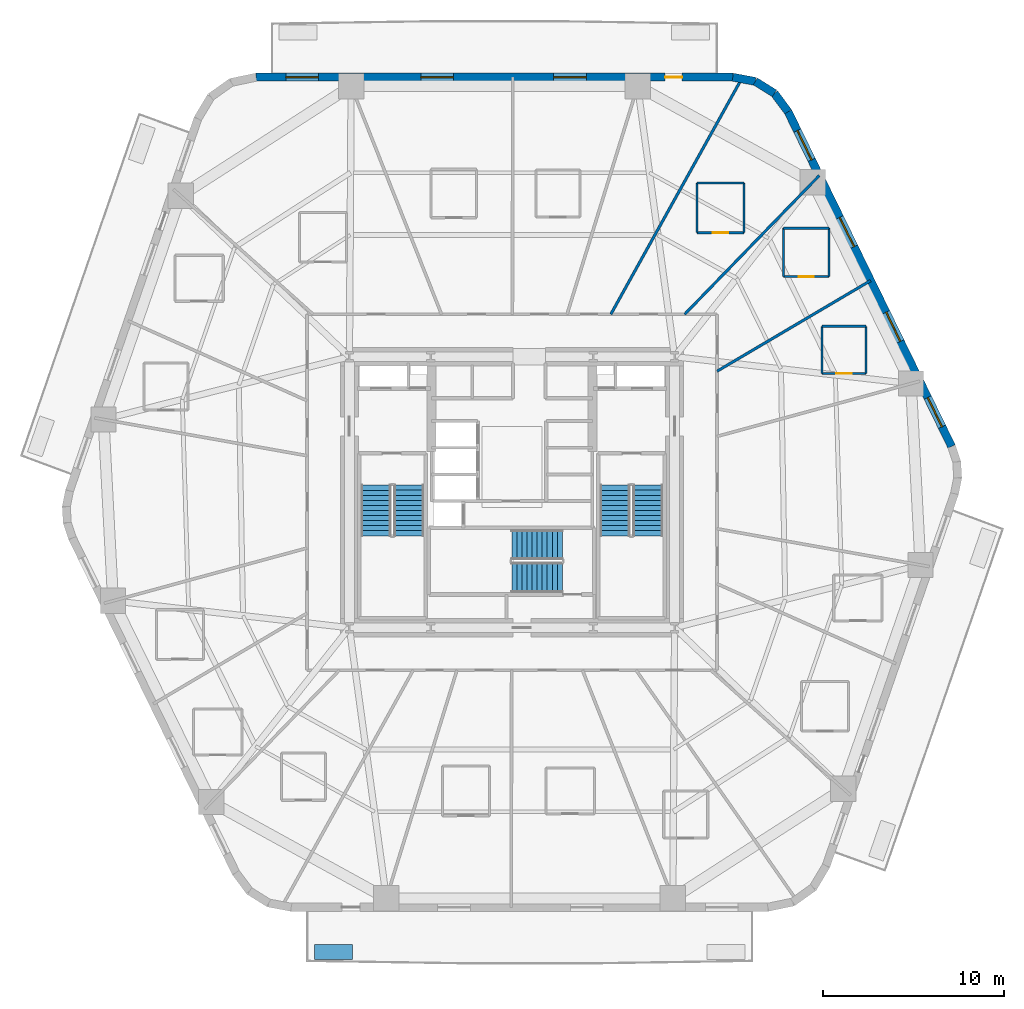
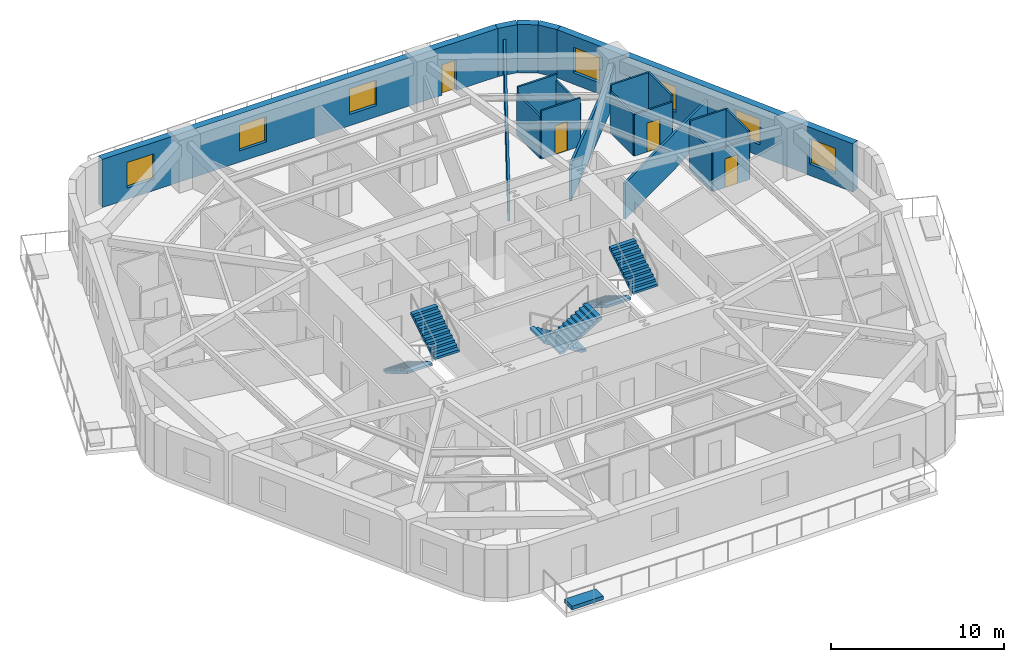
# One storey, part 7 of 11: 20 walls, 7 windows, 6 stair flights, 4 doors, 1 discrete accessory, 11 openings, 3 elements without a shape of their own.
"""IFC4 building model written with IfcOpenShell, lengths in metres."""

import ifcopenshell
import ifcopenshell.guid

model = None  # the IFC model being written
_history = None  # IfcOwnerHistory: only IFC2X3 demands one
_inside = {}  # id of a spatial element -> (the spatial element, [elements in it])
_under = {}  # id of a project, library or spatial element -> (it, [spatial elements below it])
_declared = {}  # id of a project -> (the project, [libraries it declares])
_typed = {}  # id of a type object -> (the type object, [elements of that type])
_made_of = {}  # id of a material, layer set ... -> (it, [elements and type objects made of it])


def new_model(schema):
    """Start an empty IFC model of exactly this schema.

    Asked for "IFC4X3", IfcOpenShell would pick the latest addendum, in which some entities
    have other attributes; the version numbers below select the first issue.
    IFC2X3 requires an IfcOwnerHistory on every rooted entity: one is made here for all.
    """
    global model, _history
    if schema == "IFC4X3":
        model = ifcopenshell.file(schema_version=(4, 3, 0, 0))
    else:
        model = ifcopenshell.file(schema=schema)
    _inside.clear()
    _under.clear()
    _declared.clear()
    _typed.clear()
    _made_of.clear()
    _history = None
    if model.schema == "IFC2X3":
        org = make("IfcOrganization", Name="unknown")
        user = make(
            "IfcPersonAndOrganization",
            ThePerson=make("IfcPerson", FamilyName="unknown"),
            TheOrganization=org,
        )
        app = make(
            "IfcApplication",
            ApplicationDeveloper=org,
            Version="unknown",
            ApplicationFullName="unknown",
            ApplicationIdentifier="unknown",
        )
        _history = make(
            "IfcOwnerHistory",
            OwningUser=user,
            OwningApplication=app,
            ChangeAction="ADDED",
            CreationDate=0,
        )
    return model


def make(cls, **values):
    """One entity of the class cls with the attributes given. An attribute that is None is left unset."""
    return model.create_entity(
        cls, **{name: value for name, value in values.items() if value is not None}
    )


def rooted(cls, **values):
    """An entity with a GlobalId (a new one), such as an element, a storey or a relation."""
    return make(cls, GlobalId=ifcopenshell.guid.new(), OwnerHistory=_history, **values)


def si_unit(unit_type, name, prefix=None):
    """IfcSIUnit, for example si_unit("LENGTHUNIT", "METRE", prefix="MILLI")."""
    return make("IfcSIUnit", UnitType=unit_type, Prefix=prefix, Name=name)


def assignment(units):
    """IfcUnitAssignment: the units of a project."""
    return None if units is None else make("IfcUnitAssignment", Units=units)


def point(xyz):
    """IfcCartesianPoint."""
    return None if xyz is None else make("IfcCartesianPoint", Coordinates=xyz)


def direction(xyz):
    """IfcDirection."""
    return None if xyz is None else make("IfcDirection", DirectionRatios=xyz)


def frame(location, z_axis=None, x_axis=None):
    """IfcAxis2Placement3D, a coordinate frame: its origin and axes. An axis left out is left unset."""
    return make(
        "IfcAxis2Placement3D",
        Location=point(location),
        Axis=direction(z_axis),
        RefDirection=direction(x_axis),
    )


def frame_2d(location, x_axis=None):
    """IfcAxis2Placement2D, a coordinate frame in the plane: its origin and x axis."""
    return make(
        "IfcAxis2Placement2D", Location=point(location), RefDirection=direction(x_axis)
    )


def origin():
    """The frame at (0, 0, 0) with its axes left unset."""
    return frame((0.0, 0.0, 0.0))


def origin_2d():
    """The frame at (0, 0) in the plane with its x axis left unset."""
    return frame_2d((0.0, 0.0))


def place(relative_to, where):
    """IfcLocalPlacement: puts the frame where relative to a parent placement (None: the world)."""
    return make(
        "IfcLocalPlacement", PlacementRelTo=relative_to, RelativePlacement=where
    )


def context(
    kind, dimensions, precision=None, world=None, true_north=None, identifier=None
):
    """IfcGeometricRepresentationContext, for example the 3D "Model" context."""
    return make(
        "IfcGeometricRepresentationContext",
        ContextIdentifier=identifier,
        ContextType=kind,
        CoordinateSpaceDimension=dimensions,
        Precision=precision,
        WorldCoordinateSystem=world,
        TrueNorth=true_north,
    )


def subcontext(parent, identifier, kind, view, scale=None):
    """IfcGeometricRepresentationSubContext, for example "Body" below "Model"."""
    return make(
        "IfcGeometricRepresentationSubContext",
        ContextIdentifier=identifier,
        ContextType=kind,
        ParentContext=parent,
        TargetScale=scale,
        TargetView=view,
    )


def project(units=None, contexts=None):
    """IfcProject with its units and contexts."""
    return rooted(
        "IfcProject",
        Name="project",
        RepresentationContexts=contexts,
        UnitsInContext=assignment(units),
    )


def spatial(cls, under=None, at=None, **own):
    """A site, building, storey or space (cls), placed at a placement, below another one or the project."""
    s = rooted(cls, ObjectPlacement=at, **own)
    if under is not None:
        _under.setdefault(under.id(), (under, []))[1].append(s)
    return s


def polyline(points):
    """IfcPolyline through the points."""
    return make("IfcPolyline", Points=[point(p) for p in points])


def profile(cls, at=None, kind="AREA", **sizes):
    """A parametric profile (cls). Its sizes go by their IFC names, for example OverallWidth=200.0."""
    return make(cls, ProfileType=kind, Position=at, **sizes)


def rectangle(**sizes):
    """IfcRectangleProfileDef."""
    return profile("IfcRectangleProfileDef", **sizes)


def outline(outer, holes=None, kind="AREA"):
    """IfcArbitraryClosedProfileDef: a profile drawn as a closed curve; with holes, ...WithVoids."""
    if holes is None:
        return make("IfcArbitraryClosedProfileDef", ProfileType=kind, OuterCurve=outer)
    return make(
        "IfcArbitraryProfileDefWithVoids",
        ProfileType=kind,
        OuterCurve=outer,
        InnerCurves=holes,
    )


def extrude(swept, where, along, depth):
    """IfcExtrudedAreaSolid: the profile swept, set in the frame where, extruded along a direction by depth."""
    return make(
        "IfcExtrudedAreaSolid",
        SweptArea=swept,
        Position=where,
        ExtrudedDirection=direction(along),
        Depth=depth,
    )


def shape(context_of_items, identifier, shape_type, items):
    """IfcShapeRepresentation: the items that make up one representation, for example the "Body"."""
    return make(
        "IfcShapeRepresentation",
        ContextOfItems=context_of_items,
        RepresentationIdentifier=identifier,
        RepresentationType=shape_type,
        Items=items,
    )


def material(Name=None, Category=None):
    """IfcMaterial."""
    return make("IfcMaterial", Name=Name, Category=Category)


def layer(
    of_material, thickness, ventilated=None, Name=None, Category=None, Priority=None
):
    """IfcMaterialLayer: one layer of a wall or slab, of a material (None: an air gap)."""
    return make(
        "IfcMaterialLayer",
        Material=of_material,
        LayerThickness=thickness,
        IsVentilated=ventilated,
        Name=Name,
        Category=Category,
        Priority=Priority,
    )


def layer_set(layers, Name=None):
    """IfcMaterialLayerSet."""
    return make("IfcMaterialLayerSet", MaterialLayers=layers, LayerSetName=Name)


def made_of(thing, what):
    """Note that an element or type object is made of a material, layer set ...; save() writes the relation."""
    if what is not None:
        _made_of.setdefault(what.id(), (what, []))[1].append(thing)
    return thing


def type_object(cls, material=None, **own):
    """A type object (cls), such as IfcWallType, which elements share."""
    return made_of(rooted(cls, **own), material)


def element(
    cls,
    number,
    at=None,
    inside=None,
    cuts=None,
    type_object=None,
    material=None,
    context=None,
    identifier="Body",
    shape_type=None,
    held_by="IfcProductDefinitionShape",
    body=None,
    shapes=None,
    **own,
):
    """One element of the class cls, such as IfcWall. Its Tag is "e" and its number.

    at: its placement. inside: the storey or other place that contains it. cuts: it is an
    opening in that element (IfcRelVoidsElement). A single representation is given by context,
    identifier, shape_type and body (its items); several are given by shapes. held_by: the class
    of the entity that holds the representations. save() writes the other relations.
    """
    e = rooted(cls, Tag="e%d" % number, ObjectPlacement=at, **own)
    if body is not None:
        shapes = [shape(context, identifier, shape_type, body)]
    if shapes is not None:
        e.Representation = make(held_by, Representations=shapes)
    if inside is not None:
        _inside.setdefault(inside.id(), (inside, []))[1].append(e)
    if cuts is not None:
        rooted(
            "IfcRelVoidsElement", RelatingBuildingElement=cuts, RelatedOpeningElement=e
        )
    if type_object is not None:
        _typed.setdefault(type_object.id(), (type_object, []))[1].append(e)
    return made_of(e, material)


def fill(opening, filler):
    """IfcRelFillsElement: the door or window that sits in an opening."""
    return rooted(
        "IfcRelFillsElement",
        RelatingOpeningElement=opening,
        RelatedBuildingElement=filler,
    )


def aggregate(whole, parts):
    """IfcRelAggregates: a whole, such as a stair, and the parts it consists of."""
    return rooted("IfcRelAggregates", RelatingObject=whole, RelatedObjects=parts)


def save(model, path):
    """Write the relations noted so far, then the file.

    IfcRelAggregates (storeys below a building ...), IfcRelContainedInSpatialStructure (elements
    in a storey), IfcRelDefinesByType, IfcRelAssociatesMaterial and IfcRelDeclares: one each for
    every whole, place, type object, material and project.
    """
    for whole, parts in _under.values():
        aggregate(whole, parts)
    for where, things in _inside.values():
        rooted(
            "IfcRelContainedInSpatialStructure",
            RelatedElements=things,
            RelatingStructure=where,
        )
    for kind, things in _typed.values():
        rooted("IfcRelDefinesByType", RelatedObjects=things, RelatingType=kind)
    for what, things in _made_of.values():
        rooted("IfcRelAssociatesMaterial", RelatedObjects=things, RelatingMaterial=what)
    for by, libraries in _declared.values():
        rooted("IfcRelDeclares", RelatingContext=by, RelatedDefinitions=libraries)
    model.write(path)


model = new_model("IFC4")

# Units and contexts
model_context = context("Model", 3, precision=1e-05, world=origin(), true_north=direction((0.0, 1.0)))
body_context = subcontext(model_context, "Body", "Model", "MODEL_VIEW")
ifc_project = project(units=[si_unit("LENGTHUNIT", "METRE"), si_unit("AREAUNIT", "SQUARE_METRE"), si_unit("VOLUMEUNIT", "CUBIC_METRE"), si_unit("PLANEANGLEUNIT", "RADIAN"), si_unit("MASSUNIT", "GRAM", prefix="KILO")], contexts=[model_context])

# Site, building, storey
site_placement = place(None, origin())
site = spatial("IfcSite", under=ifc_project, at=site_placement, CompositionType="ELEMENT")
building_placement = place(site_placement, origin())
building = spatial("IfcBuilding", under=site, at=building_placement, Name="Kilnhurst Terrace Hotel", CompositionType="ELEMENT")
storey_placement = place(building_placement, frame((0.0, 0.0, 41.60009765625)))
storey = spatial("IfcBuildingStorey", under=building, at=storey_placement, Name="L08", CompositionType="ELEMENT", Elevation=41.60009765625)

# Walls
ifc_material_1 = material(Name="Precast concrete C40/50", Category="concrete")
ifc_layer_1 = layer(ifc_material_1, 0.449951171875, Name="Precast concrete C40/50")
ifc_layer_set_1 = layer_set([ifc_layer_1], Name="Precast concrete C40/50")
wall_type_1 = type_object("IfcWallType", Name="WL-BRK-450", PredefinedType="SOLIDWALL", material=ifc_layer_set_1)
wall_1_placement = place(storey_placement, frame((15.28369140625, 21.0625, 0.0), z_axis=(0.0, 0.0, 1.0), x_axis=(-0.597595366449, 0.801797841104, 0.0)))
element("IfcWall", 1, at=wall_1_placement, inside=storey, type_object=wall_type_1, Name="L08 Rounded Corner Brick Wall C4.1", PredefinedType="SOLIDWALL", context=body_context, shape_type="SweptSolid", body=[
    extrude(rectangle(XDim=1.2685546875, YDim=0.449951171875, at=frame_2d((0.63427734375, 0.0))), origin(), (0.0, 0.0, 1.0), 3.39990234375),
])
wall_2_placement = place(storey_placement, frame((14.525634765625, 22.07958984375, 0.0), z_axis=(0.0, 0.0, 1.0), x_axis=(-0.848185203596, 0.529699783275, 0.0)))
element("IfcWall", 2, at=wall_2_placement, inside=storey, type_object=wall_type_1, Name="L08 Rounded Corner Brick Wall C4.2", PredefinedType="SOLIDWALL", context=body_context, shape_type="SweptSolid", body=[
    extrude(rectangle(XDim=1.247314453125, YDim=0.449951171875, at=frame_2d((0.62353515625, 0.0))), origin(), (0.0, 0.0, 1.0), 3.39990234375),
])
wall_3_placement = place(storey_placement, frame((13.4677734375, 22.740234375, 0.0), z_axis=(0.0, 0.0, 1.0), x_axis=(-0.982717174228, 0.185113358451, 0.0)))
element("IfcWall", 3, at=wall_3_placement, inside=storey, type_object=wall_type_1, Name="L08 Rounded Corner Brick Wall C4.3", PredefinedType="SOLIDWALL", context=body_context, shape_type="SweptSolid", body=[
    extrude(rectangle(XDim=1.268798828125, YDim=0.449951171875, at=frame_2d((0.63427734375, 0.0))), origin(), (0.0, 0.0, 1.0), 3.39990234375),
])

# Wall, openings, windows
wall_4_placement = place(storey_placement, frame((24.335693359375, 2.532470703125, 0.0), z_axis=(0.0, 0.0, 1.0), x_axis=(-0.438931326393, 0.898520612291, 0.0)))
wall_4 = element("IfcWall", 4, at=wall_4_placement, inside=storey, type_object=wall_type_1, Name="L08 Exterior Brick Facade Wall F3", PredefinedType="SOLIDWALL", context=body_context, shape_type="SweptSolid", body=[
    extrude(rectangle(XDim=20.622802734375, YDim=0.449951171875, at=frame_2d((10.3115234375, 0.0))), origin(), (0.0, 0.0, 1.0), 3.39990234375),
])
opening_1_placement = place(wall_4_placement, frame((6.469970703125, 0.0, 0.800048828125)))
opening_1 = element("IfcOpeningElement", 5, at=opening_1_placement, cuts=wall_4, Name="Opening W-01", PredefinedType="OPENING", context=body_context, shape_type="SweptSolid", body=[
    extrude(rectangle(XDim=1.800048828125, YDim=1.800048828125, at=frame_2d((0.89990234375, 0.89990234375))), frame((0.0, 0.23486328125, 0.0), z_axis=(0.0, -1.0, 0.0), x_axis=(1.0, 0.0, 0.0)), (0.0, 0.0, 1.0), 0.469970703125),
])
opening_2_placement = place(wall_4_placement, frame((12.31103515625, 0.0, 0.800048828125)))
opening_2 = element("IfcOpeningElement", 6, at=opening_2_placement, cuts=wall_4, Name="Opening W-01", PredefinedType="OPENING", context=body_context, shape_type="SweptSolid", body=[
    extrude(rectangle(XDim=1.800048828125, YDim=1.800048828125, at=frame_2d((0.89990234375, 0.89990234375))), frame((0.0, 0.23486328125, 0.0), z_axis=(0.0, -1.0, 0.0), x_axis=(1.0, 0.0, 0.0)), (0.0, 0.0, 1.0), 0.469970703125),
])
opening_3_placement = place(wall_4_placement, frame((17.659912109375, 0.0, 0.800048828125)))
opening_3 = element("IfcOpeningElement", 7, at=opening_3_placement, cuts=wall_4, Name="Opening W-01", PredefinedType="OPENING", context=body_context, shape_type="SweptSolid", body=[
    extrude(rectangle(XDim=1.800048828125, YDim=1.800048828125, at=frame_2d((0.89990234375, 0.89990234375))), frame((0.0, 0.23486328125, 0.0), z_axis=(0.0, -1.0, 0.0), x_axis=(1.0, 0.0, 0.0)), (0.0, 0.0, 1.0), 0.469970703125),
])
opening_4_placement = place(wall_4_placement, frame((1.214111328125, 0.0, 0.800048828125)))
opening_4 = element("IfcOpeningElement", 8, at=opening_4_placement, cuts=wall_4, Name="Opening W-01", PredefinedType="OPENING", context=body_context, shape_type="SweptSolid", body=[
    extrude(rectangle(XDim=1.800048828125, YDim=1.800048828125, at=frame_2d((0.89990234375, 0.89990234375))), frame((0.0, 0.23486328125, 0.0), z_axis=(0.0, -1.0, 0.0), x_axis=(1.0, 0.0, 0.0)), (0.0, 0.0, 1.0), 0.469970703125),
])
ifc_material_2 = material(Name="Thermally Broken Bronze Aluminium Alloy 6063-T6 and Low-E Glass", Category="aluminium")
window_type = type_object("IfcWindowType", Name="WIN-1800X1800", PartitioningType="SINGLE_PANEL", PredefinedType="WINDOW", material=ifc_material_2)
window_1_placement = place(opening_1_placement, origin())
window_1 = element("IfcWindow", 9, at=window_1_placement, inside=storey, type_object=window_type, Name="L08 Deep-Set Masonry Window F3.1", OverallHeight=1.800048828125, OverallWidth=1.800048828125, PartitioningType="SINGLE_PANEL", PredefinedType="WINDOW", context=body_context, shape_type="SweptSolid", body=[
    extrude(rectangle(XDim=1.800048828125, YDim=1.800048828125, at=frame_2d((0.89990234375, 0.89990234375))), frame((0.0, 0.030029296875, 0.0), z_axis=(0.0, -1.0, 0.0), x_axis=(1.0, 0.0, 0.0)), (0.0, 0.0, 1.0), 0.06005859375),
])
fill(opening_1, window_1)
window_2_placement = place(opening_2_placement, origin())
window_2 = element("IfcWindow", 10, at=window_2_placement, inside=storey, type_object=window_type, Name="L08 Deep-Set Masonry Window F3.2", OverallHeight=1.800048828125, OverallWidth=1.800048828125, PartitioningType="SINGLE_PANEL", PredefinedType="WINDOW", context=body_context, shape_type="SweptSolid", body=[
    extrude(rectangle(XDim=1.800048828125, YDim=1.800048828125, at=frame_2d((0.89990234375, 0.89990234375))), frame((0.0, 0.030029296875, 0.0), z_axis=(0.0, -1.0, 0.0), x_axis=(1.0, 0.0, 0.0)), (0.0, 0.0, 1.0), 0.06005859375),
])
fill(opening_2, window_2)
window_3_placement = place(opening_3_placement, origin())
window_3 = element("IfcWindow", 11, at=window_3_placement, inside=storey, type_object=window_type, Name="L08 Deep-Set Masonry Window F3.3", OverallHeight=1.800048828125, OverallWidth=1.800048828125, PartitioningType="SINGLE_PANEL", PredefinedType="WINDOW", context=body_context, shape_type="SweptSolid", body=[
    extrude(rectangle(XDim=1.800048828125, YDim=1.800048828125, at=frame_2d((0.89990234375, 0.89990234375))), frame((0.0, 0.030029296875, 0.0), z_axis=(0.0, -1.0, 0.0), x_axis=(1.0, 0.0, 0.0)), (0.0, 0.0, 1.0), 0.06005859375),
])
fill(opening_3, window_3)
window_4_placement = place(opening_4_placement, origin())
window_4 = element("IfcWindow", 12, at=window_4_placement, inside=storey, type_object=window_type, Name="L08 Deep-Set Masonry Window F3.4", OverallHeight=1.800048828125, OverallWidth=1.800048828125, PartitioningType="SINGLE_PANEL", PredefinedType="WINDOW", context=body_context, shape_type="SweptSolid", body=[
    extrude(rectangle(XDim=1.800048828125, YDim=1.800048828125, at=frame_2d((0.89990234375, 0.89990234375))), frame((0.0, 0.030029296875, 0.0), z_axis=(0.0, -1.0, 0.0), x_axis=(1.0, 0.0, 0.0)), (0.0, 0.0, 1.0), 0.06005859375),
])
fill(opening_4, window_4)

# Wall, openings, door, windows
wall_5_placement = place(storey_placement, frame((12.220947265625, 22.97509765625, 0.0), z_axis=(0.0, 0.0, 1.0), x_axis=(-1.0, 0.0, 0.0)))
wall_5 = element("IfcWall", 13, at=wall_5_placement, inside=storey, type_object=wall_type_1, Name="L08 Exterior Brick Facade Wall F4", PredefinedType="SOLIDWALL", context=body_context, shape_type="SweptSolid", body=[
    extrude(rectangle(XDim=26.38916015625, YDim=0.449951171875, at=frame_2d((13.194580078125, 0.0))), origin(), (0.0, 0.0, 1.0), 3.39990234375),
])
opening_5_placement = place(wall_5_placement, frame((2.799072265625, 0.0, 0.0)))
opening_5 = element("IfcOpeningElement", 14, at=opening_5_placement, cuts=wall_5, Name="Opening BD-950", PredefinedType="OPENING", context=body_context, shape_type="SweptSolid", body=[
    extrude(rectangle(XDim=0.949951171875, YDim=2.14990234375, at=frame_2d((0.47509765625, 1.074951171875))), frame((0.0, 0.23486328125, 0.0), z_axis=(0.0, -1.0, 0.0), x_axis=(1.0, 0.0, 0.0)), (0.0, 0.0, 1.0), 0.469970703125),
])
opening_6_placement = place(wall_5_placement, frame((8.110107421875, 0.0, 0.800048828125)))
opening_6 = element("IfcOpeningElement", 15, at=opening_6_placement, cuts=wall_5, Name="Opening W-01", PredefinedType="OPENING", context=body_context, shape_type="SweptSolid", body=[
    extrude(rectangle(XDim=1.800048828125, YDim=1.800048828125, at=frame_2d((0.89990234375, 0.89990234375))), frame((0.0, 0.23486328125, 0.0), z_axis=(0.0, -1.0, 0.0), x_axis=(1.0, 0.0, 0.0)), (0.0, 0.0, 1.0), 0.469970703125),
])
opening_7_placement = place(wall_5_placement, frame((15.4599609375, 0.0, 0.800048828125)))
opening_7 = element("IfcOpeningElement", 16, at=opening_7_placement, cuts=wall_5, Name="Opening W-01", PredefinedType="OPENING", context=body_context, shape_type="SweptSolid", body=[
    extrude(rectangle(XDim=1.800048828125, YDim=1.800048828125, at=frame_2d((0.89990234375, 0.89990234375))), frame((0.0, 0.23486328125, 0.0), z_axis=(0.0, -1.0, 0.0), x_axis=(1.0, 0.0, 0.0)), (0.0, 0.0, 1.0), 0.469970703125),
])
opening_8_placement = place(wall_5_placement, frame((22.93798828125, 0.0, 0.800048828125)))
opening_8 = element("IfcOpeningElement", 17, at=opening_8_placement, cuts=wall_5, Name="Opening W-01", PredefinedType="OPENING", context=body_context, shape_type="SweptSolid", body=[
    extrude(rectangle(XDim=1.800048828125, YDim=1.800048828125, at=frame_2d((0.89990234375, 0.89990234375))), frame((0.0, 0.23486328125, 0.0), z_axis=(0.0, -1.0, 0.0), x_axis=(1.0, 0.0, 0.0)), (0.0, 0.0, 1.0), 0.469970703125),
])
ifc_material_3 = material(Name="Thermally Broken Bronze Aluminium Alloy 6063-T6 and Laminated Glass", Category="aluminium")
door_type_1 = type_object("IfcDoorType", Name="DR-EXT-BAL-950", OperationType="NOTDEFINED", PredefinedType="DOOR", material=ifc_material_3)
door_1_placement = place(opening_5_placement, origin())
door_1 = element("IfcDoor", 18, at=door_1_placement, inside=storey, type_object=door_type_1, Name="L08 Planted Balcony Door BAL-L2A", OperationType="SINGLE_SWING_RIGHT", OverallHeight=2.14990234375, OverallWidth=0.949951171875, PredefinedType="DOOR", context=body_context, shape_type="SweptSolid", body=[
    extrude(rectangle(XDim=0.949951171875, YDim=2.14990234375, at=frame_2d((0.47509765625, 1.074951171875))), frame((0.0, 0.02490234375, 0.0), z_axis=(0.0, -1.0, 0.0), x_axis=(1.0, 0.0, 0.0)), (0.0, 0.0, 1.0), 0.050048828125),
])
fill(opening_5, door_1)
window_5_placement = place(opening_6_placement, origin())
window_5 = element("IfcWindow", 19, at=window_5_placement, inside=storey, type_object=window_type, Name="L08 Deep-Set Masonry Window F4.1", OverallHeight=1.800048828125, OverallWidth=1.800048828125, PartitioningType="SINGLE_PANEL", PredefinedType="WINDOW", context=body_context, shape_type="SweptSolid", body=[
    extrude(rectangle(XDim=1.800048828125, YDim=1.800048828125, at=frame_2d((0.89990234375, 0.89990234375))), frame((0.0, 0.030029296875, 0.0), z_axis=(0.0, -1.0, 0.0), x_axis=(1.0, 0.0, 0.0)), (0.0, 0.0, 1.0), 0.06005859375),
])
fill(opening_6, window_5)
window_6_placement = place(opening_7_placement, origin())
window_6 = element("IfcWindow", 20, at=window_6_placement, inside=storey, type_object=window_type, Name="L08 Deep-Set Masonry Window F4.2", OverallHeight=1.800048828125, OverallWidth=1.800048828125, PartitioningType="SINGLE_PANEL", PredefinedType="WINDOW", context=body_context, shape_type="SweptSolid", body=[
    extrude(rectangle(XDim=1.800048828125, YDim=1.800048828125, at=frame_2d((0.89990234375, 0.89990234375))), frame((0.0, 0.030029296875, 0.0), z_axis=(0.0, -1.0, 0.0), x_axis=(1.0, 0.0, 0.0)), (0.0, 0.0, 1.0), 0.06005859375),
])
fill(opening_7, window_6)
window_7_placement = place(opening_8_placement, origin())
window_7 = element("IfcWindow", 21, at=window_7_placement, inside=storey, type_object=window_type, Name="L08 Deep-Set Masonry Window F4.3", OverallHeight=1.800048828125, OverallWidth=1.800048828125, PartitioningType="SINGLE_PANEL", PredefinedType="WINDOW", context=body_context, shape_type="SweptSolid", body=[
    extrude(rectangle(XDim=1.800048828125, YDim=1.800048828125, at=frame_2d((0.89990234375, 0.89990234375))), frame((0.0, 0.030029296875, 0.0), z_axis=(0.0, -1.0, 0.0), x_axis=(1.0, 0.0, 0.0)), (0.0, 0.0, 1.0), 0.06005859375),
])
fill(opening_8, window_7)

# Walls
ifc_material_4 = material(Name="STC-58 Acoustic Twin-Frame Guestroom Demising Partition")
ifc_layer_2 = layer(ifc_material_4, 0.14990234375, Name="STC-58 Acoustic Twin-Frame Guestroom Demising Partition")
ifc_layer_set_2 = layer_set([ifc_layer_2], Name="STC-58 Acoustic Twin-Frame Guestroom Demising Partition")
wall_type_2 = type_object("IfcWallType", Name="WL-DEM-150", PredefinedType="PARTITIONING", material=ifc_layer_set_2)
wall_6_placement = place(storey_placement, frame((11.35009765625, 6.698486328125, 0.0), z_axis=(0.0, 0.0, 1.0), x_axis=(0.861198232886, 0.508269223614, 0.0)))
element("IfcWall", 22, at=wall_6_placement, inside=storey, type_object=wall_type_2, Name="L08 Interior Wall WL-L08-DEM-MID01-02-1", PredefinedType="PARTITIONING", context=body_context, shape_type="SweptSolid", body=[
    extrude(rectangle(XDim=9.869873046875, YDim=0.14990234375, at=frame_2d((4.93505859375, 0.0))), origin(), (0.0, 0.0, 1.0), 2.539794921875),
])
wall_7_placement = place(storey_placement, frame((9.5576171875, 9.85009765625, 0.0), z_axis=(0.0, 0.0, 1.0), x_axis=(0.69638346089, 0.717669893056, 0.0)))
element("IfcWall", 23, at=wall_7_placement, inside=storey, type_object=wall_type_2, Name="L08 Interior Wall WL-L08-DEM-COL02-03-1", PredefinedType="PARTITIONING", context=body_context, shape_type="SweptSolid", body=[
    extrude(rectangle(XDim=10.700927734375, YDim=0.14990234375, at=frame_2d((5.3505859375, 0.0))), origin(), (0.0, 0.0, 1.0), 2.539794921875),
])
wall_8_placement = place(storey_placement, frame((5.470703125, 9.85009765625, 0.0), z_axis=(0.0, 0.0, 1.0), x_axis=(0.48553323157, 0.874218211341, 0.0)))
element("IfcWall", 24, at=wall_8_placement, inside=storey, type_object=wall_type_2, Name="L08 Interior Wall WL-L08-DEM-MID02-04-1", PredefinedType="PARTITIONING", context=body_context, shape_type="SweptSolid", body=[
    extrude(rectangle(XDim=14.739501953125, YDim=0.14990234375, at=frame_2d((7.36962890625, 0.0))), origin(), (0.0, 0.0, 1.0), 2.539794921875),
])

# Wall, opening, door
ifc_material_5 = material(Name="120 mm Moisture-Resistant Tile-Backed Bathroom Partition")
ifc_layer_3 = layer(ifc_material_5, 0.1201171875, Name="120 mm Moisture-Resistant Tile-Backed Bathroom Partition")
ifc_layer_set_3 = layer_set([ifc_layer_3], Name="120 mm Moisture-Resistant Tile-Backed Bathroom Partition")
wall_type_3 = type_object("IfcWallType", Name="WL-PART-120", PredefinedType="PARTITIONING", material=ifc_layer_set_3)
wall_9_placement = place(storey_placement, frame((17.157958984375, 6.574951171875, 0.0), z_axis=(0.0, 0.0, 1.0), x_axis=(1.0, 0.0, 0.0)))
wall_9 = element("IfcWall", 25, at=wall_9_placement, inside=storey, type_object=wall_type_3, Name="L08 Interior Wall WL-L08-BTH-01-1", PredefinedType="PARTITIONING", context=body_context, shape_type="SweptSolid", body=[
    extrude(rectangle(XDim=2.43994140625, YDim=0.1201171875, at=frame_2d((1.219970703125, 0.0))), origin(), (0.0, 0.0, 1.0), 2.83984375),
])
opening_9_placement = place(wall_9_placement, frame((0.794921875, 0.0, 0.0)))
opening_9 = element("IfcOpeningElement", 26, at=opening_9_placement, cuts=wall_9, Name="Opening D-08A", PredefinedType="OPENING", context=body_context, shape_type="SweptSolid", body=[
    extrude(rectangle(XDim=0.85009765625, YDim=2.030029296875, at=frame_2d((0.425048828125, 1.01513671875))), frame((0.0, 0.070068359375, 0.0), z_axis=(0.0, -1.0, 0.0), x_axis=(1.0, 0.0, 0.0)), (0.0, 0.0, 1.0), 0.14013671875),
])
ifc_material_6 = material(Name="Moisture-Resistant Lacquered En-suite Bathroom Door")
door_type_2 = type_object("IfcDoorType", Name="DR-INT-850", OperationType="NOTDEFINED", PredefinedType="DOOR", material=ifc_material_6)
door_2_placement = place(opening_9_placement, origin())
door_2 = element("IfcDoor", 27, at=door_2_placement, inside=storey, type_object=door_type_2, Name="L08 En-suite Bathroom Door 1", OperationType="SINGLE_SWING_RIGHT", OverallHeight=2.030029296875, OverallWidth=0.85009765625, PredefinedType="DOOR", context=body_context, shape_type="SweptSolid", body=[
    extrude(rectangle(XDim=0.85009765625, YDim=2.030029296875, at=frame_2d((0.425048828125, 1.01513671875))), frame((0.0, 0.02490234375, 0.0), z_axis=(0.0, -1.0, 0.0), x_axis=(1.0, 0.0, 0.0)), (0.0, 0.0, 1.0), 0.050048828125),
])
fill(opening_9, door_2)

# Walls
wall_10_placement = place(storey_placement, frame((19.597900390625, 6.574951171875, 0.0), z_axis=(0.0, 0.0, 1.0), x_axis=(0.0, 1.0, 0.0)))
element("IfcWall", 28, at=wall_10_placement, inside=storey, type_object=wall_type_3, Name="L08 Interior Wall WL-L08-BTH-01-2", PredefinedType="PARTITIONING", context=body_context, shape_type="SweptSolid", body=[
    extrude(rectangle(XDim=2.610107421875, YDim=0.1201171875, at=frame_2d((1.30517578125, 0.0))), origin(), (0.0, 0.0, 1.0), 3.39990234375),
])
wall_11_placement = place(storey_placement, frame((19.597900390625, 9.18505859375, 0.0), z_axis=(0.0, 0.0, 1.0), x_axis=(-1.0, 0.0, 0.0)))
element("IfcWall", 29, at=wall_11_placement, inside=storey, type_object=wall_type_3, Name="L08 Interior Wall WL-L08-BTH-01-3", PredefinedType="PARTITIONING", context=body_context, shape_type="SweptSolid", body=[
    extrude(rectangle(XDim=2.43994140625, YDim=0.1201171875, at=frame_2d((1.219970703125, 0.0))), origin(), (0.0, 0.0, 1.0), 3.39990234375),
])
wall_12_placement = place(storey_placement, frame((17.157958984375, 9.18505859375, 0.0), z_axis=(0.0, 0.0, 1.0), x_axis=(0.0, -1.0, 0.0)))
element("IfcWall", 30, at=wall_12_placement, inside=storey, type_object=wall_type_3, Name="L08 Interior Wall WL-L08-BTH-01-4", PredefinedType="PARTITIONING", context=body_context, shape_type="SweptSolid", body=[
    extrude(rectangle(XDim=2.610107421875, YDim=0.1201171875, at=frame_2d((1.30517578125, 0.0))), origin(), (0.0, 0.0, 1.0), 2.83984375),
])

# Wall, opening, door
wall_13_placement = place(storey_placement, frame((15.029052734375, 11.93603515625, 0.0), z_axis=(0.0, 0.0, 1.0), x_axis=(1.0, 0.0, 0.0)))
wall_13 = element("IfcWall", 31, at=wall_13_placement, inside=storey, type_object=wall_type_3, Name="L08 Interior Wall WL-L08-BTH-02-1", PredefinedType="PARTITIONING", context=body_context, shape_type="SweptSolid", body=[
    extrude(rectangle(XDim=2.52001953125, YDim=0.1201171875, at=frame_2d((1.260009765625, 0.0))), origin(), (0.0, 0.0, 1.0), 2.926513671875),
])
opening_10_placement = place(wall_13_placement, frame((0.8349609375, 0.0, 0.0)))
opening_10 = element("IfcOpeningElement", 32, at=opening_10_placement, cuts=wall_13, Name="Opening D-08A", PredefinedType="OPENING", context=body_context, shape_type="SweptSolid", body=[
    extrude(rectangle(XDim=0.85009765625, YDim=2.030029296875, at=frame_2d((0.425048828125, 1.01513671875))), frame((0.0, 0.070068359375, 0.0), z_axis=(0.0, -1.0, 0.0), x_axis=(1.0, 0.0, 0.0)), (0.0, 0.0, 1.0), 0.14013671875),
])
door_3_placement = place(opening_10_placement, origin())
door_3 = element("IfcDoor", 33, at=door_3_placement, inside=storey, type_object=door_type_2, Name="L08 En-suite Bathroom Door 2", OperationType="SINGLE_SWING_LEFT", OverallHeight=2.030029296875, OverallWidth=0.85009765625, PredefinedType="DOOR", context=body_context, shape_type="SweptSolid", body=[
    extrude(rectangle(XDim=0.85009765625, YDim=2.030029296875, at=frame_2d((0.425048828125, 1.01513671875))), frame((0.0, 0.02490234375, 0.0), z_axis=(0.0, -1.0, 0.0), x_axis=(1.0, 0.0, 0.0)), (0.0, 0.0, 1.0), 0.050048828125),
])
fill(opening_10, door_3)

# Walls
wall_14_placement = place(storey_placement, frame((17.549072265625, 11.93603515625, 0.0), z_axis=(0.0, 0.0, 1.0), x_axis=(0.0, 1.0, 0.0)))
element("IfcWall", 34, at=wall_14_placement, inside=storey, type_object=wall_type_3, Name="L08 Interior Wall WL-L08-BTH-02-2", PredefinedType="PARTITIONING", context=body_context, shape_type="SweptSolid", body=[
    extrude(rectangle(XDim=2.679931640625, YDim=0.1201171875, at=frame_2d((1.33984375, 0.0))), origin(), (0.0, 0.0, 1.0), 3.39990234375),
])
wall_15_placement = place(storey_placement, frame((17.549072265625, 14.615966796875, 0.0), z_axis=(0.0, 0.0, 1.0), x_axis=(-1.0, 0.0, 0.0)))
element("IfcWall", 35, at=wall_15_placement, inside=storey, type_object=wall_type_3, Name="L08 Interior Wall WL-L08-BTH-02-3", PredefinedType="PARTITIONING", context=body_context, shape_type="SweptSolid", body=[
    extrude(rectangle(XDim=2.52001953125, YDim=0.1201171875, at=frame_2d((1.260009765625, 0.0))), origin(), (0.0, 0.0, 1.0), 3.39990234375),
])
wall_16_placement = place(storey_placement, frame((15.029052734375, 14.615966796875, 0.0), z_axis=(0.0, 0.0, 1.0), x_axis=(0.0, -1.0, 0.0)))
element("IfcWall", 36, at=wall_16_placement, inside=storey, type_object=wall_type_3, Name="L08 Interior Wall WL-L08-BTH-02-4", PredefinedType="PARTITIONING", context=body_context, shape_type="SweptSolid", body=[
    extrude(rectangle(XDim=2.679931640625, YDim=0.1201171875, at=frame_2d((1.33984375, 0.0))), origin(), (0.0, 0.0, 1.0), 2.926513671875),
])

# Wall, opening, door
wall_17_placement = place(storey_placement, frame((10.235107421875, 14.365966796875, 0.0), z_axis=(0.0, 0.0, 1.0), x_axis=(1.0, 0.0, 0.0)))
wall_17 = element("IfcWall", 37, at=wall_17_placement, inside=storey, type_object=wall_type_3, Name="L08 Interior Wall WL-L08-BTH-03-1", PredefinedType="PARTITIONING", context=body_context, shape_type="SweptSolid", body=[
    extrude(rectangle(XDim=2.599853515625, YDim=0.1201171875, at=frame_2d((1.2998046875, 0.0))), origin(), (0.0, 0.0, 1.0), 3.39990234375),
])
opening_11_placement = place(wall_17_placement, frame((0.875, 0.0, 0.0)))
opening_11 = element("IfcOpeningElement", 38, at=opening_11_placement, cuts=wall_17, Name="Opening D-08A", PredefinedType="OPENING", context=body_context, shape_type="SweptSolid", body=[
    extrude(rectangle(XDim=0.85009765625, YDim=2.030029296875, at=frame_2d((0.425048828125, 1.01513671875))), frame((0.0, 0.070068359375, 0.0), z_axis=(0.0, -1.0, 0.0), x_axis=(1.0, 0.0, 0.0)), (0.0, 0.0, 1.0), 0.14013671875),
])
door_4_placement = place(opening_11_placement, origin())
door_4 = element("IfcDoor", 39, at=door_4_placement, inside=storey, type_object=door_type_2, Name="L08 En-suite Bathroom Door 3", OperationType="SINGLE_SWING_RIGHT", OverallHeight=2.030029296875, OverallWidth=0.85009765625, PredefinedType="DOOR", context=body_context, shape_type="SweptSolid", body=[
    extrude(rectangle(XDim=0.85009765625, YDim=2.030029296875, at=frame_2d((0.425048828125, 1.01513671875))), frame((0.0, 0.02490234375, 0.0), z_axis=(0.0, -1.0, 0.0), x_axis=(1.0, 0.0, 0.0)), (0.0, 0.0, 1.0), 0.050048828125),
])
fill(opening_11, door_4)

# Walls
wall_18_placement = place(storey_placement, frame((12.8349609375, 14.365966796875, 0.0), z_axis=(0.0, 0.0, 1.0), x_axis=(0.0, 1.0, 0.0)))
element("IfcWall", 40, at=wall_18_placement, inside=storey, type_object=wall_type_3, Name="L08 Interior Wall WL-L08-BTH-03-2", PredefinedType="PARTITIONING", context=body_context, shape_type="SweptSolid", body=[
    extrude(rectangle(XDim=2.75, YDim=0.1201171875, at=frame_2d((1.375, 0.0))), origin(), (0.0, 0.0, 1.0), 2.972412109375),
])
wall_19_placement = place(storey_placement, frame((12.8349609375, 17.115966796875, 0.0), z_axis=(0.0, 0.0, 1.0), x_axis=(-1.0, 0.0, 0.0)))
element("IfcWall", 41, at=wall_19_placement, inside=storey, type_object=wall_type_3, Name="L08 Interior Wall WL-L08-BTH-03-3", PredefinedType="PARTITIONING", context=body_context, shape_type="SweptSolid", body=[
    extrude(rectangle(XDim=2.599853515625, YDim=0.1201171875, at=frame_2d((1.2998046875, 0.0))), origin(), (0.0, 0.0, 1.0), 3.39990234375),
])
wall_20_placement = place(storey_placement, frame((10.235107421875, 17.115966796875, 0.0), z_axis=(0.0, 0.0, 1.0), x_axis=(0.0, -1.0, 0.0)))
element("IfcWall", 42, at=wall_20_placement, inside=storey, type_object=wall_type_3, Name="L08 Interior Wall WL-L08-BTH-03-4", PredefinedType="PARTITIONING", context=body_context, shape_type="SweptSolid", body=[
    extrude(rectangle(XDim=2.75, YDim=0.1201171875, at=frame_2d((1.375, 0.0))), origin(), (0.0, 0.0, 1.0), 2.972412109375),
])

# Stair, stair flights
ifc_material_7 = material(Name="Concrete C50/60", Category="concrete")
stair_type = type_object("IfcStairType", Name="STR-CORE-1660", PredefinedType="HALF_TURN_STAIR", material=ifc_material_7)
stair_1_placement = place(storey_placement, origin())
stair_1 = element("IfcStair", 43, at=stair_1_placement, inside=storey, type_object=stair_type, Name="L08 ST-1", PredefinedType="HALF_TURN_STAIR")
stair_flight_type = type_object("IfcStairFlightType", Name="FLT-RC-1660", PredefinedType="STRAIGHT", material=ifc_material_7)
stair_flight_1_placement = place(storey_placement, frame((-7.52001953125, 0.389892578125, 0.0), z_axis=(0.0, 0.0, 1.0), x_axis=(0.0, -1.0, 0.0)))
stair_flight_1 = element("IfcStairFlight", 44, at=stair_flight_1_placement, type_object=stair_flight_type, Name="ST-1 flight 1", NumberOfRisers=11, NumberOfTreads=10, PredefinedType="STRAIGHT", RiserHeight=0.168181818, TreadLength=0.28, context=body_context, shape_type="SweptSolid", body=[
    extrude(outline(polyline([(0.0, 0.0), (0.0, 0.168212890625), (0.280029296875, 0.168212890625), (0.280029296875, 0.33642578125), (0.56005859375, 0.33642578125), (0.56005859375, 0.504638671875), (0.840087890625, 0.504638671875), (0.840087890625, 0.672607421875), (1.1201171875, 0.672607421875), (1.1201171875, 0.8408203125), (1.39990234375, 0.8408203125), (1.39990234375, 1.009033203125), (1.679931640625, 1.009033203125), (1.679931640625, 1.17724609375), (1.9599609375, 1.17724609375), (1.9599609375, 1.345458984375), (2.239990234375, 1.345458984375), (2.239990234375, 1.513671875), (2.52001953125, 1.513671875), (2.52001953125, 1.681884765625), (2.800048828125, 1.681884765625), (2.800048828125, 1.85009765625), (2.800048828125, 1.5068359375), (0.291015625, 0.0), (0.0, 0.0)])), frame((0.0, 0.830078125, 0.0), z_axis=(0.0, -1.0, 0.0), x_axis=(1.0, 0.0, 0.0)), (0.0, 0.0, 1.0), 1.659912109375),
])
stair_flight_2_placement = place(storey_placement, frame((-5.7099609375, -2.409912109375, 1.849853515625), z_axis=(0.0, 0.0, 1.0), x_axis=(0.0, 1.0, 0.0)))
stair_flight_2 = element("IfcStairFlight", 45, at=stair_flight_2_placement, type_object=stair_flight_type, Name="ST-1 flight 2", NumberOfRisers=11, NumberOfTreads=10, PredefinedType="STRAIGHT", RiserHeight=0.168181818, TreadLength=0.28, context=body_context, shape_type="SweptSolid", body=[
    extrude(outline(polyline([(0.0, 0.0), (0.0, 0.168212890625), (0.280029296875, 0.168212890625), (0.280029296875, 0.33642578125), (0.56005859375, 0.33642578125), (0.56005859375, 0.504638671875), (0.840087890625, 0.504638671875), (0.840087890625, 0.672607421875), (1.1201171875, 0.672607421875), (1.1201171875, 0.8408203125), (1.39990234375, 0.8408203125), (1.39990234375, 1.009033203125), (1.679931640625, 1.009033203125), (1.679931640625, 1.17724609375), (1.9599609375, 1.17724609375), (1.9599609375, 1.345458984375), (2.239990234375, 1.345458984375), (2.239990234375, 1.513671875), (2.52001953125, 1.513671875), (2.52001953125, 1.681884765625), (2.800048828125, 1.681884765625), (2.800048828125, 1.85009765625), (2.800048828125, 1.5068359375), (0.291015625, 0.0), (0.0, 0.0)])), frame((0.0, 0.830078125, 0.0), z_axis=(0.0, -1.0, 0.0), x_axis=(1.0, 0.0, 0.0)), (0.0, 0.0, 1.0), 1.659912109375),
])
aggregate(stair_1, [stair_flight_1, stair_flight_2])

stair_2_placement = place(storey_placement, origin())
stair_2 = element("IfcStair", 46, at=stair_2_placement, inside=storey, type_object=stair_type, Name="L08 ST-2", PredefinedType="HALF_TURN_STAIR")
stair_flight_3_placement = place(storey_placement, frame((5.7099609375, 0.389892578125, 0.0), z_axis=(0.0, 0.0, 1.0), x_axis=(0.0, -1.0, 0.0)))
stair_flight_3 = element("IfcStairFlight", 47, at=stair_flight_3_placement, type_object=stair_flight_type, Name="ST-2 flight 1", NumberOfRisers=11, NumberOfTreads=10, PredefinedType="STRAIGHT", RiserHeight=0.168181818, TreadLength=0.28, context=body_context, shape_type="SweptSolid", body=[
    extrude(outline(polyline([(0.0, 0.0), (0.0, 0.168212890625), (0.280029296875, 0.168212890625), (0.280029296875, 0.33642578125), (0.56005859375, 0.33642578125), (0.56005859375, 0.504638671875), (0.840087890625, 0.504638671875), (0.840087890625, 0.672607421875), (1.1201171875, 0.672607421875), (1.1201171875, 0.8408203125), (1.39990234375, 0.8408203125), (1.39990234375, 1.009033203125), (1.679931640625, 1.009033203125), (1.679931640625, 1.17724609375), (1.9599609375, 1.17724609375), (1.9599609375, 1.345458984375), (2.239990234375, 1.345458984375), (2.239990234375, 1.513671875), (2.52001953125, 1.513671875), (2.52001953125, 1.681884765625), (2.800048828125, 1.681884765625), (2.800048828125, 1.85009765625), (2.800048828125, 1.5068359375), (0.291015625, 0.0), (0.0, 0.0)])), frame((0.0, 0.830078125, 0.0), z_axis=(0.0, -1.0, 0.0), x_axis=(1.0, 0.0, 0.0)), (0.0, 0.0, 1.0), 1.659912109375),
])
stair_flight_4_placement = place(storey_placement, frame((7.52001953125, -2.409912109375, 1.849853515625), z_axis=(0.0, 0.0, 1.0), x_axis=(0.0, 1.0, 0.0)))
stair_flight_4 = element("IfcStairFlight", 48, at=stair_flight_4_placement, type_object=stair_flight_type, Name="ST-2 flight 2", NumberOfRisers=11, NumberOfTreads=10, PredefinedType="STRAIGHT", RiserHeight=0.168181818, TreadLength=0.28, context=body_context, shape_type="SweptSolid", body=[
    extrude(outline(polyline([(0.0, 0.0), (0.0, 0.168212890625), (0.280029296875, 0.168212890625), (0.280029296875, 0.33642578125), (0.56005859375, 0.33642578125), (0.56005859375, 0.504638671875), (0.840087890625, 0.504638671875), (0.840087890625, 0.672607421875), (1.1201171875, 0.672607421875), (1.1201171875, 0.8408203125), (1.39990234375, 0.8408203125), (1.39990234375, 1.009033203125), (1.679931640625, 1.009033203125), (1.679931640625, 1.17724609375), (1.9599609375, 1.17724609375), (1.9599609375, 1.345458984375), (2.239990234375, 1.345458984375), (2.239990234375, 1.513671875), (2.52001953125, 1.513671875), (2.52001953125, 1.681884765625), (2.800048828125, 1.681884765625), (2.800048828125, 1.85009765625), (2.800048828125, 1.5068359375), (0.291015625, 0.0), (0.0, 0.0)])), frame((0.0, 0.830078125, 0.0), z_axis=(0.0, -1.0, 0.0), x_axis=(1.0, 0.0, 0.0)), (0.0, 0.0, 1.0), 1.659912109375),
])
aggregate(stair_2, [stair_flight_3, stair_flight_4])

stair_3_placement = place(storey_placement, origin())
stair_3 = element("IfcStair", 49, at=stair_3_placement, inside=storey, type_object=stair_type, Name="L08 ST-3", PredefinedType="HALF_TURN_STAIR")
stair_flight_5_placement = place(storey_placement, frame((2.7900390625, -2.909912109375, 0.0), z_axis=(0.0, 0.0, 1.0), x_axis=(-1.0, 0.0, 0.0)))
stair_flight_5 = element("IfcStairFlight", 50, at=stair_flight_5_placement, type_object=stair_flight_type, Name="ST-3 flight 1", NumberOfRisers=11, NumberOfTreads=10, PredefinedType="STRAIGHT", RiserHeight=0.168181818, TreadLength=0.28, context=body_context, shape_type="SweptSolid", body=[
    extrude(outline(polyline([(0.0, 0.0), (0.0, 0.168212890625), (0.280029296875, 0.168212890625), (0.280029296875, 0.33642578125), (0.56005859375, 0.33642578125), (0.56005859375, 0.504638671875), (0.840087890625, 0.504638671875), (0.840087890625, 0.672607421875), (1.1201171875, 0.672607421875), (1.1201171875, 0.8408203125), (1.39990234375, 0.8408203125), (1.39990234375, 1.009033203125), (1.679931640625, 1.009033203125), (1.679931640625, 1.17724609375), (1.9599609375, 1.17724609375), (1.9599609375, 1.345458984375), (2.239990234375, 1.345458984375), (2.239990234375, 1.513671875), (2.52001953125, 1.513671875), (2.52001953125, 1.681884765625), (2.800048828125, 1.681884765625), (2.800048828125, 1.85009765625), (2.800048828125, 1.5068359375), (0.291015625, 0.0), (0.0, 0.0)])), frame((0.0, 0.830078125, 0.0), z_axis=(0.0, -1.0, 0.0), x_axis=(1.0, 0.0, 0.0)), (0.0, 0.0, 1.0), 1.659912109375),
])
stair_flight_6_placement = place(storey_placement, frame((-0.010009765625, -4.719970703125, 1.849853515625), z_axis=(0.0, 0.0, 1.0), x_axis=(1.0, 0.0, 0.0)))
stair_flight_6 = element("IfcStairFlight", 51, at=stair_flight_6_placement, type_object=stair_flight_type, Name="ST-3 flight 2", NumberOfRisers=11, NumberOfTreads=10, PredefinedType="STRAIGHT", RiserHeight=0.168181818, TreadLength=0.28, context=body_context, shape_type="SweptSolid", body=[
    extrude(outline(polyline([(0.0, 0.0), (0.0, 0.168212890625), (0.280029296875, 0.168212890625), (0.280029296875, 0.33642578125), (0.56005859375, 0.33642578125), (0.56005859375, 0.504638671875), (0.840087890625, 0.504638671875), (0.840087890625, 0.672607421875), (1.1201171875, 0.672607421875), (1.1201171875, 0.8408203125), (1.39990234375, 0.8408203125), (1.39990234375, 1.009033203125), (1.679931640625, 1.009033203125), (1.679931640625, 1.17724609375), (1.9599609375, 1.17724609375), (1.9599609375, 1.345458984375), (2.239990234375, 1.345458984375), (2.239990234375, 1.513671875), (2.52001953125, 1.513671875), (2.52001953125, 1.681884765625), (2.800048828125, 1.681884765625), (2.800048828125, 1.85009765625), (2.800048828125, 1.5068359375), (0.291015625, 0.0), (0.0, 0.0)])), frame((0.0, 0.830078125, 0.0), z_axis=(0.0, -1.0, 0.0), x_axis=(1.0, 0.0, 0.0)), (0.0, 0.0, 1.0), 1.659912109375),
])
aggregate(stair_3, [stair_flight_5, stair_flight_6])

# Discrete accessory
ifc_material_8 = material(Name="Precast Concrete C40/50 Tree Planter", Category="concrete")
discrete_accessory_type = type_object("IfcDiscreteAccessoryType", Name="PLN-TREE-260", PredefinedType="USERDEFINED", material=ifc_material_8)
discrete_accessory_placement = place(storey_placement, frame((-9.89208984375, -25.449951171875, 0.0), z_axis=(0.0, 0.0, 1.0), x_axis=(1.0, 0.0, 0.0)))
element("IfcDiscreteAccessory", 52, at=discrete_accessory_placement, inside=storey, type_object=discrete_accessory_type, Name="L08 Structural Tree Planter Box PLANTER BAL-L1A.1", ObjectType="PLANTER", PredefinedType="USERDEFINED", context=body_context, shape_type="SweptSolid", body=[
    extrude(rectangle(XDim=2.10009765625, YDim=0.85009765625, at=origin_2d()), origin(), (0.0, 0.0, 1.0), 0.260009765625),
])

save(model, "model.ifc")
